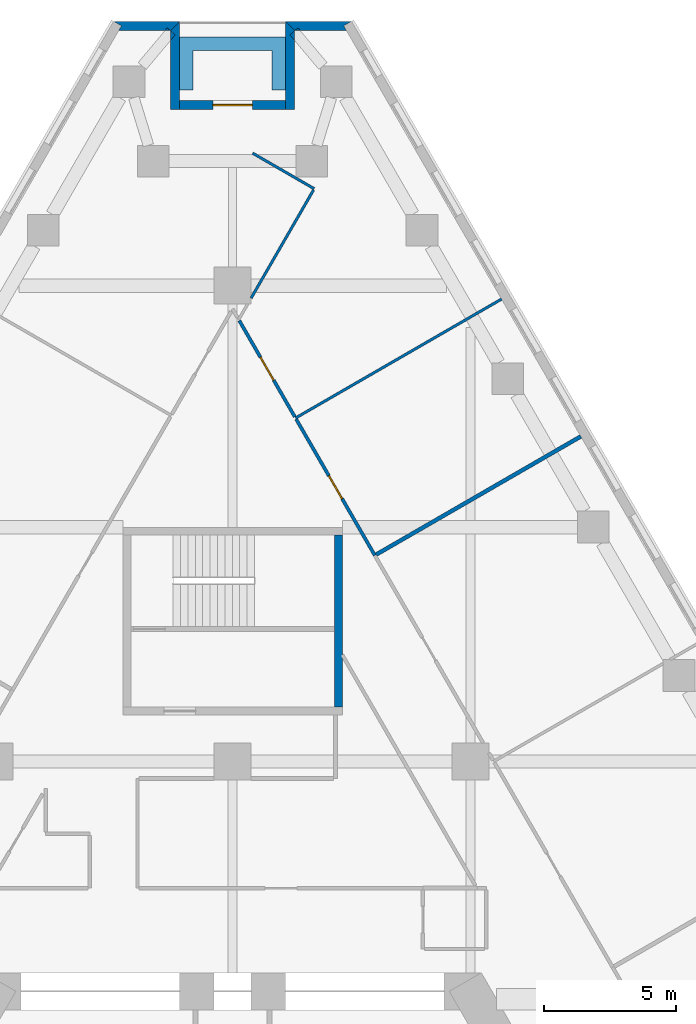
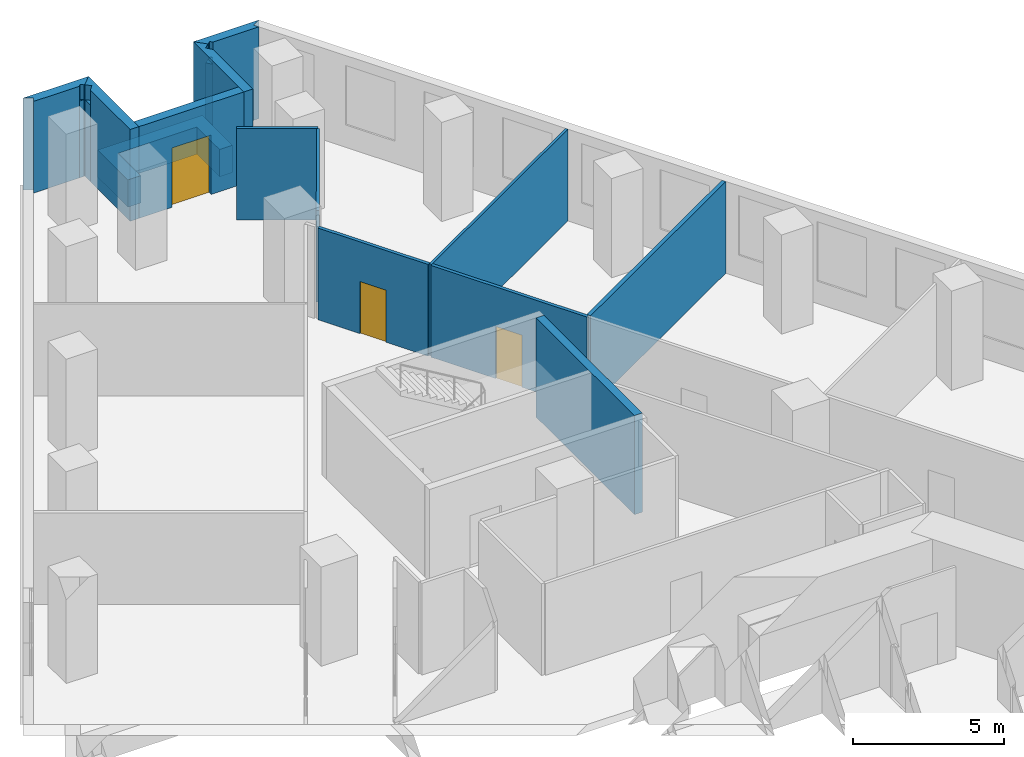
# One storey, part 9 of 11: 17 walls, 3 doors, 3 openings.
"""IFC4 building model written with IfcOpenShell, lengths in metres."""

from ifc_helpers import new_model, si_unit, direction, frame, frame_2d, origin, place, context, subcontext, project, spatial, polyline, rectangle, outline, extrude, material, layer, layer_set, type_object, element, fill, save


model = new_model("IFC4")

# Units and contexts
model_context = context("Model", 3, precision=1e-05, world=origin(), true_north=direction((0.0, 1.0)))
body_context = subcontext(model_context, "Body", "Model", "MODEL_VIEW")
ifc_project = project(units=[si_unit("LENGTHUNIT", "METRE"), si_unit("AREAUNIT", "SQUARE_METRE"), si_unit("VOLUMEUNIT", "CUBIC_METRE"), si_unit("PLANEANGLEUNIT", "RADIAN"), si_unit("MASSUNIT", "GRAM", prefix="KILO")], contexts=[model_context])

# Site, building, storey
site_placement = place(None, origin())
site = spatial("IfcSite", under=ifc_project, at=site_placement, CompositionType="ELEMENT")
building_placement = place(site_placement, origin())
building = spatial("IfcBuilding", under=site, at=building_placement, Name="Fogline Exchange Tower", CompositionType="ELEMENT")
storey_placement = place(building_placement, frame((0.0, 0.0, 56.89990234375)))
storey = spatial("IfcBuildingStorey", under=building, at=storey_placement, Name="L11", CompositionType="ELEMENT", Elevation=56.89990234375)

# Walls
ifc_material_1 = material(Name="Concrete C40", Category="concrete")
ifc_layer_1 = layer(ifc_material_1, 0.300048828125)
ifc_layer_set_1 = layer_set([ifc_layer_1], Name="CW30")
wall_type_1 = type_object("IfcWallType", Name="CW30", PredefinedType="SOLIDWALL", material=ifc_layer_set_1)
wall_1_placement = place(storey_placement, frame((4.0, 29.056884765625, -0.2998046875), z_axis=(0.0, 0.0, 1.0), x_axis=(0.0, 1.0, 0.0)))
element("IfcWall", 1, at=wall_1_placement, inside=storey, type_object=wall_type_1, Name="Stair enclosure wall ST3", PredefinedType="SOLIDWALL", context=body_context, shape_type="SweptSolid", body=[
    extrude(rectangle(XDim=6.5, YDim=0.300048828125, at=frame_2d((3.25, 0.0))), origin(), (0.0, 0.0, 1.0), 4.0),
])
ifc_material_2 = material(Name="Brick masonry", Category="masonry")
ifc_layer_2 = layer(ifc_material_2, 0.340087890625)
ifc_layer_set_2 = layer_set([ifc_layer_2], Name="FW1")
wall_type_2 = type_object("IfcWallType", Name="FW1", PredefinedType="SOLIDWALL", material=ifc_layer_set_2)
wall_2_placement = place(storey_placement, origin())
element("IfcWall", 2, at=wall_2_placement, inside=storey, type_object=wall_type_2, Name="Brick wall L11 N-c1", PredefinedType="SOLIDWALL", context=body_context, shape_type="SweptSolid", body=[
    extrude(outline(polyline([(2.372314453125, 54.6611328125), (2.474609375, 54.7470703125), (2.546875, 54.6611328125), (2.372314453125, 54.6611328125)])), origin(), (0.0, 0.0, 1.0), 3.10009765625),
])
wall_3_placement = place(storey_placement, origin())
element("IfcWall", 3, at=wall_3_placement, inside=storey, type_object=wall_type_2, Name="Brick wall L11 N-c1", PredefinedType="SOLIDWALL", context=body_context, shape_type="SweptSolid", body=[
    extrude(outline(polyline([(4.5009765625, 55.002197265625), (4.501220703125, 55.001708984375), (4.206298828125, 54.83154296875), (4.3046875, 54.6611328125), (2.546875, 54.6611328125), (2.474609375, 54.7470703125), (2.372314453125, 54.6611328125), (2.33984375, 54.6611328125), (1.998779296875, 55.001953125), (1.9990234375, 55.002197265625), (4.5009765625, 55.002197265625)])), origin(), (0.0, 0.0, 1.0), 3.7001953125),
])
wall_4_placement = place(storey_placement, origin())
element("IfcWall", 4, at=wall_4_placement, inside=storey, type_object=wall_type_2, Name="Brick wall L11 N-s1", PredefinedType="SOLIDWALL", context=body_context, shape_type="SweptSolid", body=[
    extrude(outline(polyline([(2.340576171875, 54.28466796875), (2.16845703125, 54.48974609375), (2.340576171875, 54.634521484375), (2.340576171875, 54.28466796875)])), origin(), (0.0, 0.0, 1.0), 3.10009765625),
])
wall_5_placement = place(storey_placement, origin())
element("IfcWall", 5, at=wall_5_placement, inside=storey, type_object=wall_type_2, Name="Brick wall L11 N-s1", PredefinedType="SOLIDWALL", context=body_context, shape_type="SweptSolid", body=[
    extrude(outline(polyline([(1.99951171875, 51.6611328125), (1.99951171875, 55.002685546875), (1.999755859375, 55.0029296875), (2.340576171875, 54.661865234375), (2.340576171875, 54.634521484375), (2.16845703125, 54.48974609375), (2.340576171875, 54.28466796875), (2.340576171875, 51.6611328125), (1.99951171875, 51.6611328125)])), origin(), (0.0, 0.0, 1.0), 3.7001953125),
])

# Wall, opening, door
wall_6_placement = place(storey_placement, frame((2.0, 51.83154296875, 0.0), z_axis=(0.0, 0.0, 1.0), x_axis=(-1.0, 0.0, 0.0)))
wall_6 = element("IfcWall", 6, at=wall_6_placement, inside=storey, type_object=wall_type_2, Name="Brick wall L11 N-bk", PredefinedType="SOLIDWALL", context=body_context, shape_type="SweptSolid", body=[
    extrude(rectangle(XDim=4.0, YDim=0.340087890625, at=frame_2d((2.0, 0.0))), origin(), (0.0, 0.0, 1.0), 3.7001953125),
])
opening_1_placement = place(wall_6_placement, frame((1.25, 0.0, 0.0)))
opening_1 = element("IfcOpeningElement", 7, at=opening_1_placement, cuts=wall_6, Name="Opening T03-E141", PredefinedType="OPENING", context=body_context, shape_type="SweptSolid", body=[
    extrude(rectangle(XDim=1.5, YDim=2.39990234375, at=frame_2d((0.75, 1.199951171875))), frame((0.0, 0.18017578125, 0.0), z_axis=(0.0, -1.0, 0.0), x_axis=(1.0, 0.0, 0.0)), (0.0, 0.0, 1.0), 0.360107421875),
])
ifc_material_3 = material(Name="Aluminium and glass", Category="aluminium")
door_type_1 = type_object("IfcDoorType", Name="ED4", OperationType="SINGLE_SWING_LEFT", PredefinedType="DOOR", material=ifc_material_3)
door_1_placement = place(opening_1_placement, frame((1.5, 0.0, 0.0), z_axis=(0.0, 0.0, 1.0), x_axis=(-1.0, 0.0, 0.0)))
door_1 = element("IfcDoor", 8, at=door_1_placement, inside=storey, type_object=door_type_1, Name="Balcony door L11 N", OperationType="DOUBLE_DOOR_SINGLE_SWING", OverallHeight=2.39990234375, OverallWidth=1.5, PredefinedType="DOOR", context=body_context, shape_type="SweptSolid", body=[
    extrude(rectangle(XDim=1.5, YDim=2.39990234375, at=frame_2d((0.75, 1.199951171875))), frame((0.0, 0.02490234375, 0.0), z_axis=(0.0, -1.0, 0.0), x_axis=(1.0, 0.0, 0.0)), (0.0, 0.0, 1.0), 0.050048828125),
])
fill(opening_1, door_1)

# Walls
wall_7_placement = place(storey_placement, origin())
element("IfcWall", 9, at=wall_7_placement, inside=storey, type_object=wall_type_2, Name="Brick wall L11 N-s2", PredefinedType="SOLIDWALL", context=body_context, shape_type="SweptSolid", body=[
    extrude(outline(polyline([(-2.340576171875, 54.63330078125), (-2.169921875, 54.489990234375), (-2.340576171875, 54.28662109375), (-2.340576171875, 54.63330078125)])), origin(), (0.0, 0.0, 1.0), 3.10009765625),
])
wall_8_placement = place(storey_placement, origin())
element("IfcWall", 10, at=wall_8_placement, inside=storey, type_object=wall_type_2, Name="Brick wall L11 N-s2", PredefinedType="SOLIDWALL", context=body_context, shape_type="SweptSolid", body=[
    extrude(outline(polyline([(-1.99951171875, 51.6611328125), (-2.340576171875, 51.6611328125), (-2.340576171875, 54.28662109375), (-2.169921875, 54.489990234375), (-2.340576171875, 54.63330078125), (-2.340576171875, 54.661865234375), (-1.999755859375, 55.0029296875), (-1.99951171875, 55.002685546875), (-1.99951171875, 51.6611328125)])), origin(), (0.0, 0.0, 1.0), 3.7001953125),
])
wall_9_placement = place(storey_placement, origin())
element("IfcWall", 11, at=wall_9_placement, inside=storey, type_object=wall_type_2, Name="Brick wall L11 N-c2", PredefinedType="SOLIDWALL", context=body_context, shape_type="SweptSolid", body=[
    extrude(outline(polyline([(-2.548583984375, 54.6611328125), (-2.476318359375, 54.7470703125), (-2.373779296875, 54.6611328125), (-2.548583984375, 54.6611328125)])), origin(), (0.0, 0.0, 1.0), 3.10009765625),
])
wall_10_placement = place(storey_placement, origin())
element("IfcWall", 12, at=wall_10_placement, inside=storey, type_object=wall_type_2, Name="Brick wall L11 N-c2", PredefinedType="SOLIDWALL", context=body_context, shape_type="SweptSolid", body=[
    extrude(outline(polyline([(-4.206298828125, 54.83154296875), (-4.501220703125, 55.001708984375), (-4.5009765625, 55.002197265625), (-1.9990234375, 55.002197265625), (-1.998779296875, 55.001953125), (-2.33984375, 54.6611328125), (-2.373779296875, 54.6611328125), (-2.476318359375, 54.7470703125), (-2.548583984375, 54.6611328125), (-4.3046875, 54.6611328125), (-4.206298828125, 54.83154296875)])), origin(), (0.0, 0.0, 1.0), 3.7001953125),
])
ifc_material_4 = material(Name="Concrete C30", Category="concrete")
ifc_layer_3 = layer(ifc_material_4, 0.199951171875)
ifc_layer_set_3 = layer_set([ifc_layer_3], Name="PL1")
wall_type_3 = type_object("IfcWallType", Name="PL1", PredefinedType="USERDEFINED", material=ifc_layer_set_3)
wall_11_placement = place(storey_placement, origin())
element("IfcWall", 13, at=wall_11_placement, inside=storey, type_object=wall_type_3, Name="PLANTER balcony L11 N", ObjectType="PLANTER", PredefinedType="USERDEFINED", context=body_context, shape_type="SweptSolid", body=[
    extrude(outline(polyline([(-1.5, 54.401611328125), (-2.0, 54.401611328125), (-2.0, 53.901611328125), (-2.0, 52.401611328125), (-1.5, 52.401611328125), (-1.5, 53.901611328125), (1.5, 53.901611328125), (1.5, 52.401611328125), (2.0, 52.401611328125), (2.0, 53.901611328125), (2.0, 54.401611328125), (1.5, 54.401611328125), (-1.5, 54.401611328125)])), origin(), (0.0, 0.0, 1.0), 1.10009765625),
])
ifc_material_5 = material(Name="Plasterboard partition, 2 layers each side on steel studs", Category="steel")
ifc_layer_4 = layer(ifc_material_5, 0.10009765625)
ifc_layer_set_4 = layer_set([ifc_layer_4], Name="PW1")
wall_type_4 = type_object("IfcWallType", Name="PW1", PredefinedType="PARTITIONING", material=ifc_layer_set_4)
wall_12_placement = place(storey_placement, frame((2.381591796875, 39.990966796875, 0.0), z_axis=(0.0, 0.0, 1.0), x_axis=(0.866024315419, 0.5000018851, 0.0)))
element("IfcWall", 14, at=wall_12_placement, inside=storey, type_object=wall_type_4, Name="wall-L11-W044", PredefinedType="PARTITIONING", context=body_context, shape_type="SweptSolid", body=[
    extrude(rectangle(XDim=9.0, YDim=0.10009765625, at=frame_2d((4.5, 0.0))), origin(), (0.0, 0.0, 1.0), 3.7001953125),
])
wall_13_placement = place(storey_placement, frame((0.699951171875, 44.5283203125, 0.0), z_axis=(0.0, 0.0, 1.0), x_axis=(0.500020389875, 0.866013631365, 0.0)))
element("IfcWall", 15, at=wall_13_placement, inside=storey, type_object=wall_type_4, Name="wall-L11-W046", PredefinedType="PARTITIONING", context=body_context, shape_type="SweptSolid", body=[
    extrude(rectangle(XDim=4.728759765625, YDim=0.10009765625, at=frame_2d((2.3642578125, 0.0))), origin(), (0.0, 0.0, 1.0), 3.7001953125),
])
wall_14_placement = place(storey_placement, frame((3.08935546875, 48.666748046875, 0.0), z_axis=(0.0, 0.0, 1.0), x_axis=(-0.866005709019, 0.500034110783, 0.0)))
element("IfcWall", 16, at=wall_14_placement, inside=storey, type_object=wall_type_4, Name="wall-L11-W047", PredefinedType="PARTITIONING", context=body_context, shape_type="SweptSolid", body=[
    extrude(rectangle(XDim=2.689697265625, YDim=0.10009765625, at=frame_2d((1.3447265625, 0.0))), origin(), (0.0, 0.0, 1.0), 3.7001953125),
])

# Wall, opening, door
ifc_material_6 = material(Name="Plasterboard corridor partition with mineral wool, 2 layers each side")
ifc_layer_5 = layer(ifc_material_6, 0.125)
ifc_layer_set_5 = layer_set([ifc_layer_5], Name="PW2")
wall_type_5 = type_object("IfcWallType", Name="PW2", PredefinedType="PARTITIONING", material=ifc_layer_set_5)
wall_15_placement = place(storey_placement, frame((2.40673828125, 39.947265625, 0.0), z_axis=(0.0, 0.0, 1.0), x_axis=(0.500018463402, -0.866014743672, 0.0)))
wall_15 = element("IfcWall", 17, at=wall_15_placement, inside=storey, type_object=wall_type_5, Name="wall-L11-W015", PredefinedType="PARTITIONING", context=body_context, shape_type="SweptSolid", body=[
    extrude(rectangle(XDim=5.949462890625, YDim=0.125, at=frame_2d((2.974609375, 0.0))), origin(), (0.0, 0.0, 1.0), 3.7001953125),
])
opening_2_placement = place(wall_15_placement, frame((2.474609375, 0.0, 0.0)))
opening_2 = element("IfcOpeningElement", 18, at=opening_2_placement, cuts=wall_15, Name="Opening T03-D007", PredefinedType="OPENING", context=body_context, shape_type="SweptSolid", body=[
    extrude(rectangle(XDim=1.0, YDim=2.10009765625, at=frame_2d((0.5, 1.050048828125))), frame((0.0, 0.072509765625, 0.0), z_axis=(0.0, -1.0, 0.0), x_axis=(1.0, 0.0, 0.0)), (0.0, 0.0, 1.0), 0.14501953125),
])
ifc_material_7 = material(Name="Fire-rated timber door leaf with steel frame", Category="steel")
door_type_2 = type_object("IfcDoorType", Name="D3", OperationType="SINGLE_SWING_LEFT", PredefinedType="DOOR", material=ifc_material_7)
door_2_placement = place(opening_2_placement, origin())
door_2 = element("IfcDoor", 19, at=door_2_placement, inside=storey, type_object=door_type_2, Name="door-L11-D007", OperationType="SINGLE_SWING_LEFT", OverallHeight=2.10009765625, OverallWidth=1.0, PredefinedType="DOOR", context=body_context, shape_type="SweptSolid", body=[
    extrude(rectangle(XDim=1.0, YDim=2.10009765625, at=frame_2d((0.5, 1.050048828125))), frame((0.0, 0.02490234375, 0.0), z_axis=(0.0, -1.0, 0.0), x_axis=(1.0, 0.0, 0.0)), (0.0, 0.0, 1.0), 0.050048828125),
])
fill(opening_2, door_2)

wall_16_placement = place(storey_placement, frame((0.252685546875, 43.677978515625, 0.0), z_axis=(0.0, 0.0, 1.0), x_axis=(0.50000878899, -0.866020329399, 0.0)))
wall_16 = element("IfcWall", 20, at=wall_16_placement, inside=storey, type_object=wall_type_5, Name="wall-L11-W016", PredefinedType="PARTITIONING", context=body_context, shape_type="SweptSolid", body=[
    extrude(rectangle(XDim=4.20703125, YDim=0.125, at=frame_2d((2.103515625, 0.0))), origin(), (0.0, 0.0, 1.0), 3.7001953125),
])
opening_3_placement = place(wall_16_placement, frame((1.603515625, 0.0, 0.0)))
opening_3 = element("IfcOpeningElement", 21, at=opening_3_placement, cuts=wall_16, Name="Opening T03-D008", PredefinedType="OPENING", context=body_context, shape_type="SweptSolid", body=[
    extrude(rectangle(XDim=1.0, YDim=2.10009765625, at=frame_2d((0.5, 1.050048828125))), frame((0.0, 0.072509765625, 0.0), z_axis=(0.0, -1.0, 0.0), x_axis=(1.0, 0.0, 0.0)), (0.0, 0.0, 1.0), 0.14501953125),
])
door_3_placement = place(opening_3_placement, origin())
door_3 = element("IfcDoor", 22, at=door_3_placement, inside=storey, type_object=door_type_2, Name="door-L11-D008", OperationType="SINGLE_SWING_LEFT", OverallHeight=2.10009765625, OverallWidth=1.0, PredefinedType="DOOR", context=body_context, shape_type="SweptSolid", body=[
    extrude(rectangle(XDim=1.0, YDim=2.10009765625, at=frame_2d((0.5, 1.050048828125))), frame((0.0, 0.02490234375, 0.0), z_axis=(0.0, -1.0, 0.0), x_axis=(1.0, 0.0, 0.0)), (0.0, 0.0, 1.0), 0.050048828125),
])
fill(opening_3, door_3)

# Wall
ifc_material_8 = material(Name="Plasterboard demising partition with mineral wool and acoustic board")
ifc_layer_6 = layer(ifc_material_8, 0.14990234375)
ifc_layer_set_6 = layer_set([ifc_layer_6], Name="PW3")
wall_type_6 = type_object("IfcWallType", Name="PW3", PredefinedType="PARTITIONING", material=ifc_layer_set_6)
wall_17_placement = place(storey_placement, frame((5.435546875, 34.826171875, 0.0), z_axis=(0.0, 0.0, 1.0), x_axis=(0.866029105215, 0.49999358888, 0.0)))
element("IfcWall", 23, at=wall_17_placement, inside=storey, type_object=wall_type_6, Name="wall-L11-W043", PredefinedType="PARTITIONING", context=body_context, shape_type="SweptSolid", body=[
    extrude(rectangle(XDim=8.9375, YDim=0.14990234375, at=frame_2d((4.46875, 0.0))), origin(), (0.0, 0.0, 1.0), 3.7001953125),
])

save(model, "model.ifc")
